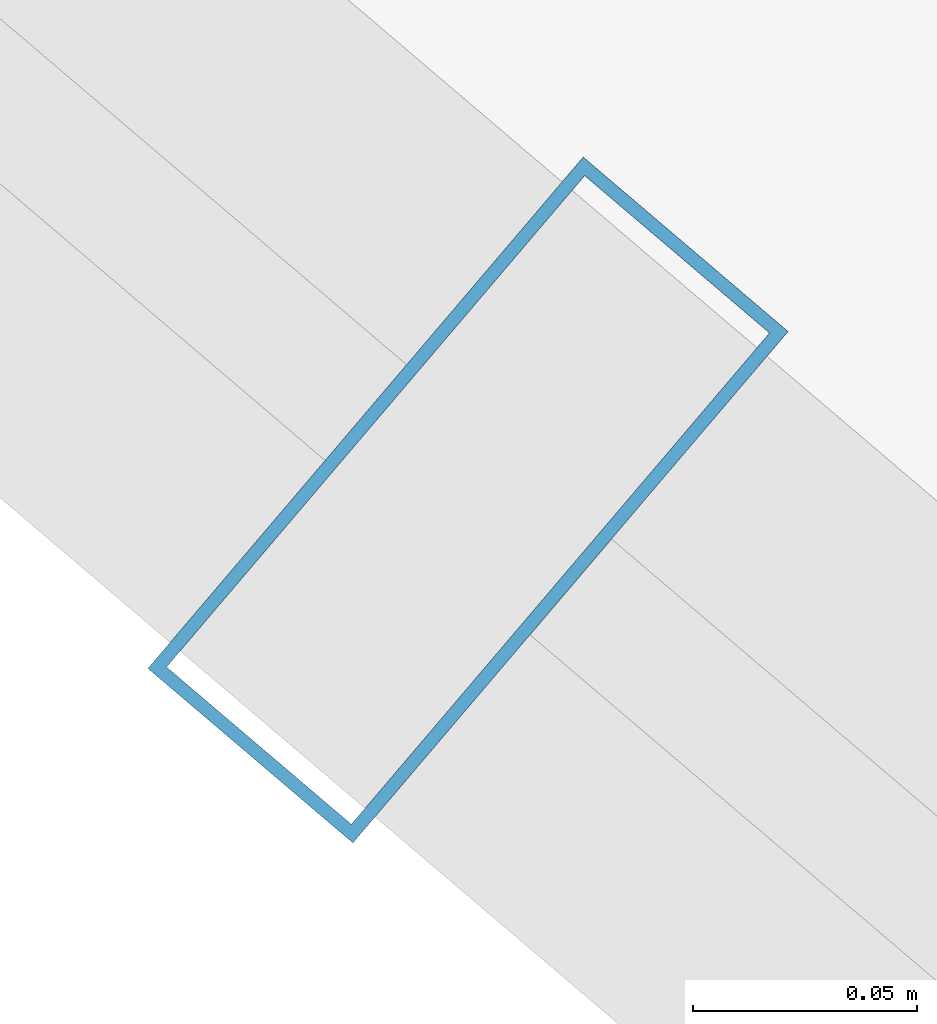
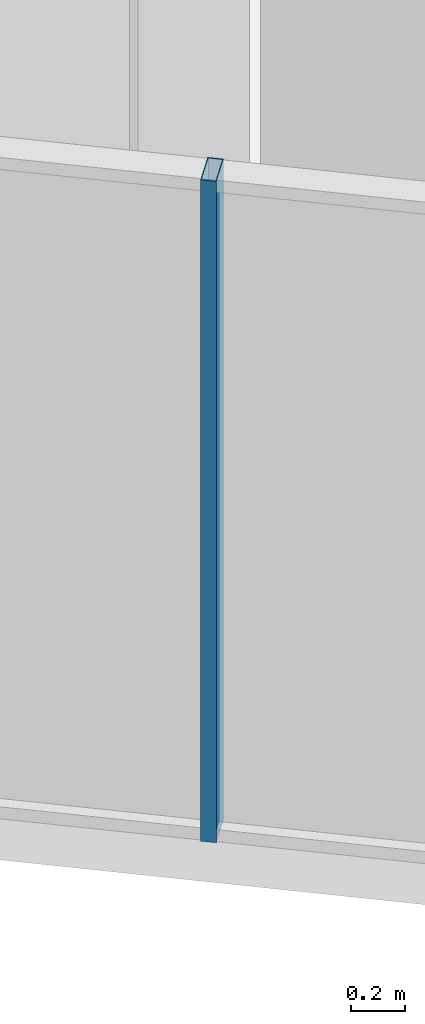
# One storey, part 2 of 29: 1 member, 1 element without a shape of its own.
"""IFC4 building model written with IfcOpenShell, lengths in metres."""

from ifc_helpers import new_model, si_unit, direction, frame, origin, origin_2d, place, context, subcontext, project, spatial, hollow_rectangle, extrude, source, transform, mapped, material, layer, layer_set, material_profile, profile_set, type_object, element, aggregate, save


model = new_model("IFC4")

# Units and contexts
model_context = context("Model", 3, precision=1e-05, world=origin(), true_north=direction((0.0, 1.0)))
body_context = subcontext(model_context, "Body", "Model", "MODEL_VIEW")
ifc_project = project(units=[si_unit("LENGTHUNIT", "METRE"), si_unit("AREAUNIT", "SQUARE_METRE"), si_unit("VOLUMEUNIT", "CUBIC_METRE"), si_unit("PLANEANGLEUNIT", "RADIAN"), si_unit("MASSUNIT", "GRAM", prefix="KILO")], contexts=[model_context])

# Site, building, storey
site_placement = place(None, origin())
site = spatial("IfcSite", under=ifc_project, at=site_placement, CompositionType="ELEMENT")
building_placement = place(site_placement, origin())
building = spatial("IfcBuilding", under=site, at=building_placement, Name="Veraguas Prism Commons", CompositionType="ELEMENT")
storey_placement = place(building_placement, frame((0.0, 0.0, 244.75)))
storey = spatial("IfcBuildingStorey", under=building, at=storey_placement, Name="L69", CompositionType="ELEMENT", Elevation=244.75)

# Curtain wall, member
ifc_material = material(Name="Anodised aluminium EN AW-6063 T6", Category="aluminium")
ifc_layer = layer(ifc_material, 0.14990234375, Name="Unitised Flush Curtain Wall Zone 4", Category="aluminium")
ifc_layer_set = layer_set([ifc_layer], Name="Anodised aluminium EN AW-6063 T6")
curtain_wall_type = type_object("IfcCurtainWallType", Name="Unitised Flush Curtain Wall Zone 4", PredefinedType="NOTDEFINED", material=ifc_layer_set)
curtain_wall_placement = place(storey_placement, origin())
curtain_wall = element("IfcCurtainWall", 1, at=curtain_wall_placement, inside=storey, type_object=curtain_wall_type, Name="Tower Facade Curtain Wall L69-F4", PredefinedType="NOTDEFINED")
ifc_material_profile = material_profile(ifc_material, hollow_rectangle(XDim=0.06005859375, YDim=0.14990234375, WallThickness=0.0029296875, at=origin_2d()), Name="AL60X150X3")
ifc_profile_set = profile_set([ifc_material_profile], Name="Anodised aluminium EN AW-6063 T6")
member_type = type_object("IfcMemberType", Name="Curtain Wall Mullion Upper AL 60x150x3", PredefinedType="MULLION", material=ifc_profile_set)
shared_shape = source(origin(), body_context, "Body", "SweptSolid", [
    extrude(hollow_rectangle(XDim=0.06005859375, YDim=0.14990234375, WallThickness=0.0029296875, at=origin_2d()), origin(), (0.0, 0.0, 1.0), 3.014892578125),
])
member_placement = place(storey_placement, frame((13.33544921875, 11.46923828125, 0.0), z_axis=(0.0, 0.0, 1.0), x_axis=(0.761538307537, -0.648119901063, 0.0)))
member = element("IfcMember", 2, at=member_placement, type_object=member_type, Name="CW-Z4 Mullion 3", PredefinedType="MULLION", context=body_context, shape_type="MappedRepresentation", body=[
    mapped(shared_shape, transform((0.0, 0.0, 0.0), scale=1.0)),
])
aggregate(curtain_wall, [member])

save(model, "model.ifc")
